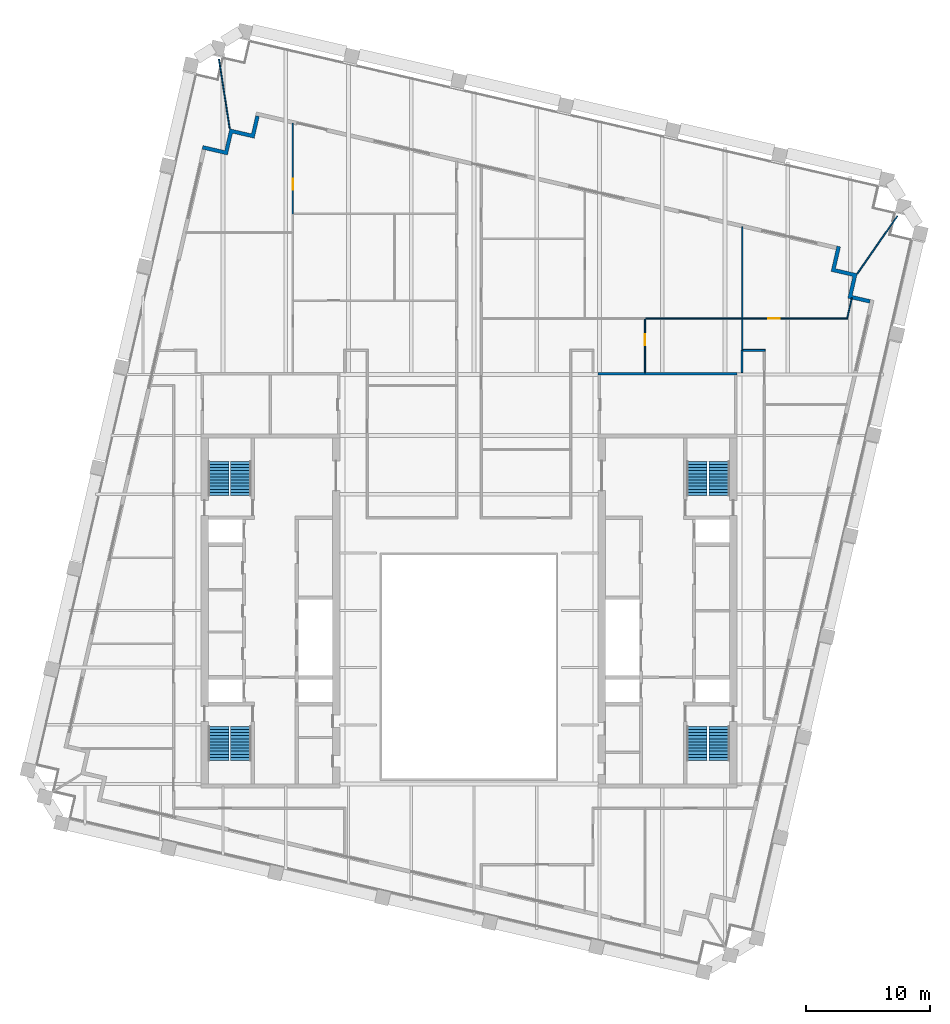
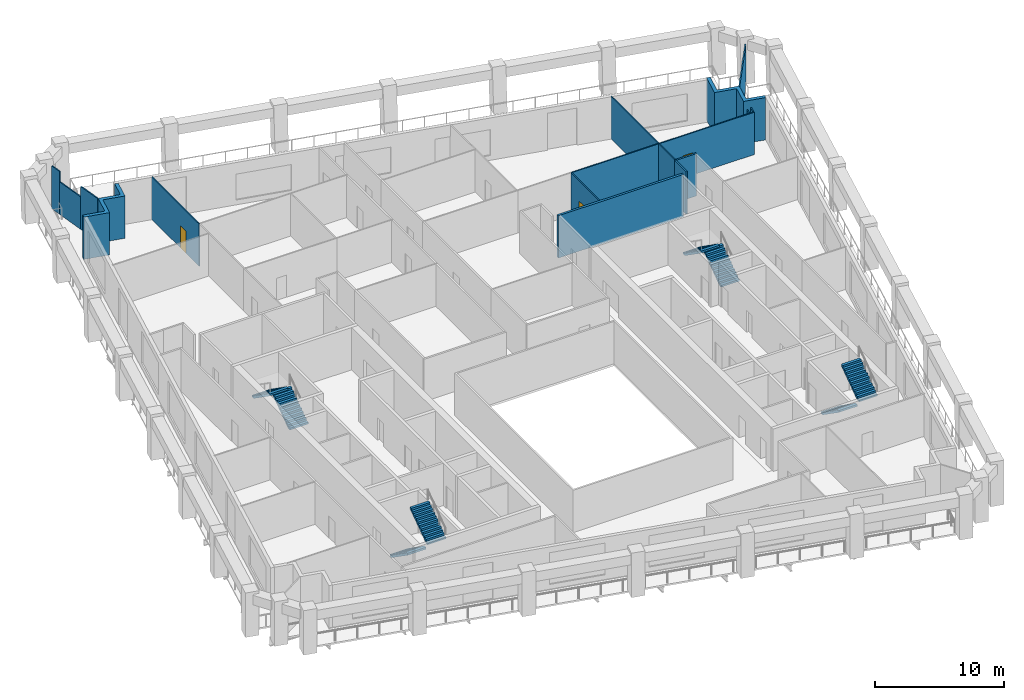
# One storey, part 8 of 9: 17 walls, 8 stair flights, 3 doors, 3 openings, 4 elements without a shape of their own.
"""IFC4 building model written with IfcOpenShell, lengths in metres."""

from ifc_helpers import new_model, si_unit, direction, frame, frame_2d, origin, place, context, subcontext, project, spatial, polyline, rectangle, outline, extrude, material, layer, layer_set, type_object, element, fill, aggregate, save


model = new_model("IFC4")

# Units and contexts
model_context = context("Model", 3, precision=1e-05, world=origin(), true_north=direction((0.0, 1.0)))
body_context = subcontext(model_context, "Body", "Model", "MODEL_VIEW")
ifc_project = project(units=[si_unit("LENGTHUNIT", "METRE"), si_unit("AREAUNIT", "SQUARE_METRE"), si_unit("VOLUMEUNIT", "CUBIC_METRE"), si_unit("PLANEANGLEUNIT", "RADIAN"), si_unit("MASSUNIT", "GRAM", prefix="KILO")], contexts=[model_context])

# Site, building, storey
site_placement = place(None, origin())
site = spatial("IfcSite", under=ifc_project, at=site_placement, CompositionType="ELEMENT")
building_placement = place(site_placement, origin())
building = spatial("IfcBuilding", under=site, at=building_placement, Name="Ogive Exchange Tower", CompositionType="ELEMENT")
storey_placement = place(building_placement, frame((0.0, 0.0, 276.60009765625)))
storey = spatial("IfcBuildingStorey", under=building, at=storey_placement, Name="L60", CompositionType="ELEMENT", Elevation=276.60009765625)

# Walls
ifc_material_1 = material(Name="Fire partition EI 60 150")
ifc_layer_1 = layer(ifc_material_1, 0.14990234375)
ifc_layer_set_1 = layer_set([ifc_layer_1], Name="Fire partition EI 60 150")
wall_type_1 = type_object("IfcWallType", Name="Fire partition EI 60 150", PredefinedType="PARTITIONING", material=ifc_layer_set_1)
wall_1_placement = place(storey_placement, frame((22.0, 30.699951171875, 0.0), z_axis=(0.0, 0.0, 1.0), x_axis=(0.0, 1.0, 0.0)))
element("IfcWall", 1, at=wall_1_placement, inside=storey, type_object=wall_type_1, Name="L60-PWL-058", PredefinedType="PARTITIONING", context=body_context, shape_type="SweptSolid", body=[
    extrude(rectangle(XDim=1.800048828125, YDim=0.14990234375, at=frame_2d((0.89990234375, 0.0))), origin(), (0.0, 0.0, 1.0), 4.0),
])
wall_2_placement = place(storey_placement, frame((21.97998046875, 32.5, 0.0), z_axis=(0.0, 0.0, 1.0), x_axis=(1.0, 0.0, 0.0)))
element("IfcWall", 2, at=wall_2_placement, inside=storey, type_object=wall_type_1, Name="L60-PWL-059", PredefinedType="PARTITIONING", context=body_context, shape_type="SweptSolid", body=[
    extrude(rectangle(XDim=1.89501953125, YDim=0.14990234375, at=frame_2d((0.947509765625, 0.0))), origin(), (0.0, 0.0, 1.0), 4.0),
])
ifc_material_2 = material(Name="Precast concrete C40/50", Category="concrete")
ifc_layer_2 = layer(ifc_material_2, 0.300048828125)
ifc_layer_set_2 = layer_set([ifc_layer_2], Name="Limestone-faced wall 300")
wall_type_2 = type_object("IfcWallType", Name="Limestone-faced wall 300", PredefinedType="STANDARD", material=ifc_layer_set_2)
wall_3_placement = place(storey_placement, origin())
element("IfcWall", 3, at=wall_3_placement, inside=storey, type_object=wall_type_2, Name="External corner wall C2", PredefinedType="STANDARD", context=body_context, shape_type="SweptSolid", body=[
    extrude(outline(polyline([(30.931396484375, 38.453369140625), (29.177490234375, 38.8583984375), (29.64990234375, 40.904541015625), (29.942138671875, 40.8369140625), (29.537109375, 39.0830078125), (31.291015625, 38.67822265625), (30.88623046875, 36.92431640625), (32.34765625, 36.5869140625), (32.2802734375, 36.294677734375), (30.5263671875, 36.699462890625), (30.931396484375, 38.453369140625)])), origin(), (0.0, 0.0, 1.0), 4.0),
])
wall_4_placement = place(storey_placement, origin())
element("IfcWall", 4, at=wall_4_placement, inside=storey, type_object=wall_type_2, Name="External corner wall C3", PredefinedType="STANDARD", context=body_context, shape_type="SweptSolid", body=[
    extrude(outline(polyline([(-21.5048828125, 48.7119140625), (-21.4375, 49.004150390625), (-19.68359375, 48.599365234375), (-19.27880859375, 50.353271484375), (-17.52490234375, 49.9482421875), (-17.1875, 51.409912109375), (-16.89501953125, 51.34228515625), (-17.300048828125, 49.58837890625), (-19.053955078125, 49.993408203125), (-19.458740234375, 48.239501953125), (-21.5048828125, 48.7119140625)])), origin(), (0.0, 0.0, 1.0), 4.0),
])
ifc_material_3 = material(Name="Laminated safety glass in steel frame", Category="steel")
ifc_layer_3 = layer(ifc_material_3, 0.10009765625)
ifc_layer_set_3 = layer_set([ifc_layer_3], Name="Loggia end screen 100")
wall_type_3 = type_object("IfcWallType", Name="Loggia end screen 100", PredefinedType="STANDARD", material=ifc_layer_set_3)
wall_5_placement = place(storey_placement, frame((31.291015625, 38.67822265625, -0.050048828125), z_axis=(0.0, 0.0, 1.0), x_axis=(0.570748735076, 0.821124766043, 0.0)))
element("IfcWall", 5, at=wall_5_placement, inside=storey, type_object=wall_type_3, Name="Loggia end screen C2", PredefinedType="STANDARD", context=body_context, shape_type="SweptSolid", body=[
    extrude(rectangle(XDim=5.664306640625, YDim=0.10009765625, at=frame_2d((2.83203125, 0.0))), origin(), (0.0, 0.0, 1.0), 4.050048828125),
])
wall_6_placement = place(storey_placement, frame((-19.27880859375, 50.353271484375, -0.050048828125), z_axis=(0.0, 0.0, 1.0), x_axis=(-0.152949377395, 0.988234024892, 0.0)))
element("IfcWall", 6, at=wall_6_placement, inside=storey, type_object=wall_type_3, Name="Loggia end screen C3", PredefinedType="STANDARD", context=body_context, shape_type="SweptSolid", body=[
    extrude(rectangle(XDim=2.07666015625, YDim=0.10009765625, at=frame_2d((1.038330078125, 0.0))), origin(), (0.0, 0.0, 1.0), 4.050048828125),
])
wall_7_placement = place(storey_placement, frame((-19.596435546875, 52.405517578125, -0.050048828125), z_axis=(0.0, 0.0, 1.0), x_axis=(-0.153042446465, 0.988219616067, 0.0)))
element("IfcWall", 7, at=wall_7_placement, inside=storey, type_object=wall_type_3, Name="Loggia end screen C3", PredefinedType="STANDARD", context=body_context, shape_type="SweptSolid", body=[
    extrude(rectangle(XDim=2.606689453125, YDim=0.10009765625, at=frame_2d((1.30322265625, 0.0))), origin(), (0.0, 0.0, 1.0), 3.070068359375),
])
wall_8_placement = place(storey_placement, frame((-19.995361328125, 54.9814453125, -0.050048828125), z_axis=(0.0, 0.0, 1.0), x_axis=(-0.153085875802, 0.988212889326, 0.0)))
element("IfcWall", 8, at=wall_8_placement, inside=storey, type_object=wall_type_3, Name="Loggia end screen C3", PredefinedType="STANDARD", context=body_context, shape_type="SweptSolid", body=[
    extrude(rectangle(XDim=0.980712890625, YDim=0.10009765625, at=frame_2d((0.490234375, 0.0))), origin(), (0.0, 0.0, 1.0), 4.050048828125),
])

# Wall, opening, door
ifc_material_4 = material(Name="Partition 100 gypsum")
ifc_layer_4 = layer(ifc_material_4, 0.10009765625)
ifc_layer_set_4 = layer_set([ifc_layer_4], Name="Partition 100 gypsum")
wall_type_4 = type_object("IfcWallType", Name="Partition 100 gypsum", PredefinedType="PARTITIONING", material=ifc_layer_set_4)
wall_9_placement = place(storey_placement, frame((-14.18994140625, 43.449951171875, 0.0), z_axis=(0.0, 0.0, 1.0), x_axis=(0.0, 1.0, 0.0)))
wall_9 = element("IfcWall", 9, at=wall_9_placement, inside=storey, type_object=wall_type_4, Name="L60-PWL-018", PredefinedType="PARTITIONING", context=body_context, shape_type="SweptSolid", body=[
    extrude(rectangle(XDim=7.35009765625, YDim=0.10009765625, at=frame_2d((3.675048828125, 0.0))), origin(), (0.0, 0.0, 1.0), 4.0),
])
opening_1_placement = place(wall_9_placement, frame((1.97998046875, 0.0, 0.0)))
opening_1 = element("IfcOpeningElement", 10, at=opening_1_placement, cuts=wall_9, Name="Opening L60-I20", PredefinedType="OPENING", context=body_context, shape_type="SweptSolid", body=[
    extrude(rectangle(XDim=0.89990234375, YDim=2.10009765625, at=frame_2d((0.449951171875, 1.050048828125))), frame((0.0, 0.06005859375, 0.0), z_axis=(0.0, -1.0, 0.0), x_axis=(1.0, 0.0, 0.0)), (0.0, 0.0, 1.0), 0.1201171875),
])
ifc_material_5 = material(Name="Door 900 x 2100")
door_type = type_object("IfcDoorType", Name="Door 900 x 2100", OperationType="NOTDEFINED", PredefinedType="DOOR", material=ifc_material_5)
door_1_placement = place(opening_1_placement, origin())
door_1 = element("IfcDoor", 11, at=door_1_placement, inside=storey, type_object=door_type, Name="L60-IDR-020", ObjectType="DT1", OperationType="SINGLE_SWING_RIGHT", OverallHeight=2.10009765625, OverallWidth=0.89990234375, PredefinedType="DOOR", context=body_context, shape_type="SweptSolid", body=[
    extrude(rectangle(XDim=0.89990234375, YDim=2.10009765625, at=frame_2d((0.449951171875, 1.050048828125))), frame((0.0, 0.02490234375, 0.0), z_axis=(0.0, -1.0, 0.0), x_axis=(1.0, 0.0, 0.0)), (0.0, 0.0, 1.0), 0.050048828125),
])
fill(opening_1, door_1)

wall_10_placement = place(storey_placement, frame((14.18994140625, 35.02001953125, 0.0), z_axis=(0.0, 0.0, 1.0), x_axis=(0.0, -1.0, 0.0)))
wall_10 = element("IfcWall", 12, at=wall_10_placement, inside=storey, type_object=wall_type_4, Name="L60-PWL-057", PredefinedType="PARTITIONING", context=body_context, shape_type="SweptSolid", body=[
    extrude(rectangle(XDim=4.320068359375, YDim=0.10009765625, at=frame_2d((2.16015625, 0.0))), origin(), (0.0, 0.0, 1.0), 4.0),
])
opening_2_placement = place(wall_10_placement, frame((1.219970703125, 0.0, 0.0)))
opening_2 = element("IfcOpeningElement", 13, at=opening_2_placement, cuts=wall_10, Name="Opening L60-I06", PredefinedType="OPENING", context=body_context, shape_type="SweptSolid", body=[
    extrude(rectangle(XDim=0.89990234375, YDim=2.10009765625, at=frame_2d((0.449951171875, 1.050048828125))), frame((0.0, 0.06005859375, 0.0), z_axis=(0.0, -1.0, 0.0), x_axis=(1.0, 0.0, 0.0)), (0.0, 0.0, 1.0), 0.1201171875),
])
door_2_placement = place(opening_2_placement, origin())
door_2 = element("IfcDoor", 14, at=door_2_placement, inside=storey, type_object=door_type, Name="L60-IDR-006", ObjectType="DT1", OperationType="SINGLE_SWING_RIGHT", OverallHeight=2.10009765625, OverallWidth=0.89990234375, PredefinedType="DOOR", context=body_context, shape_type="SweptSolid", body=[
    extrude(rectangle(XDim=0.89990234375, YDim=2.10009765625, at=frame_2d((0.449951171875, 1.050048828125))), frame((0.0, 0.02490234375, 0.0), z_axis=(0.0, -1.0, 0.0), x_axis=(1.0, 0.0, 0.0)), (0.0, 0.0, 1.0), 0.050048828125),
])
fill(opening_2, door_2)

# Walls
wall_11_placement = place(storey_placement, frame((21.97998046875, 35.070068359375, 0.0), z_axis=(0.0, 0.0, 1.0), x_axis=(-1.0, 0.0, 0.0)))
element("IfcWall", 15, at=wall_11_placement, inside=storey, type_object=wall_type_4, Name="L60-PWL-060", PredefinedType="PARTITIONING", context=body_context, shape_type="SweptSolid", body=[
    extrude(rectangle(XDim=7.7900390625, YDim=0.10009765625, at=frame_2d((3.89501953125, 0.0))), origin(), (0.0, 0.0, 1.0), 4.0),
])
wall_12_placement = place(storey_placement, frame((22.030029296875, 35.02001953125, 0.0), z_axis=(0.0, 0.0, 1.0), x_axis=(0.0, -1.0, 0.0)))
element("IfcWall", 16, at=wall_12_placement, inside=storey, type_object=wall_type_4, Name="L60-PWL-061", PredefinedType="PARTITIONING", context=body_context, shape_type="SweptSolid", body=[
    extrude(rectangle(XDim=2.445068359375, YDim=0.10009765625, at=frame_2d((1.22265625, 0.0))), origin(), (0.0, 0.0, 1.0), 4.0),
])

# Wall, opening, door
wall_13_placement = place(storey_placement, frame((21.97998046875, 35.070068359375, 0.0), z_axis=(0.0, 0.0, 1.0), x_axis=(1.0, 0.0, 0.0)))
wall_13 = element("IfcWall", 17, at=wall_13_placement, inside=storey, type_object=wall_type_4, Name="L60-PWL-062", PredefinedType="PARTITIONING", context=body_context, shape_type="SweptSolid", body=[
    extrude(rectangle(XDim=8.550048828125, YDim=0.10009765625, at=frame_2d((4.27490234375, 0.0))), origin(), (0.0, 0.0, 1.0), 4.0),
])
opening_3_placement = place(wall_13_placement, frame((2.14990234375, 0.0, 0.0)))
opening_3 = element("IfcOpeningElement", 18, at=opening_3_placement, cuts=wall_13, Name="Opening L60-I13", PredefinedType="OPENING", context=body_context, shape_type="SweptSolid", body=[
    extrude(rectangle(XDim=0.89990234375, YDim=2.10009765625, at=frame_2d((0.449951171875, 1.050048828125))), frame((0.0, 0.06005859375, 0.0), z_axis=(0.0, -1.0, 0.0), x_axis=(1.0, 0.0, 0.0)), (0.0, 0.0, 1.0), 0.1201171875),
])
door_3_placement = place(opening_3_placement, origin())
door_3 = element("IfcDoor", 19, at=door_3_placement, inside=storey, type_object=door_type, Name="L60-IDR-013", ObjectType="DT1", OperationType="SINGLE_SWING_RIGHT", OverallHeight=2.10009765625, OverallWidth=0.89990234375, PredefinedType="DOOR", context=body_context, shape_type="SweptSolid", body=[
    extrude(rectangle(XDim=0.89990234375, YDim=2.10009765625, at=frame_2d((0.449951171875, 1.050048828125))), frame((0.0, 0.02490234375, 0.0), z_axis=(0.0, -1.0, 0.0), x_axis=(1.0, 0.0, 0.0)), (0.0, 0.0, 1.0), 0.050048828125),
])
fill(opening_3, door_3)

# Walls
wall_14_placement = place(storey_placement, frame((22.030029296875, 42.43798828125, 0.0), z_axis=(0.0, 0.0, 1.0), x_axis=(0.0, -1.0, 0.0)))
element("IfcWall", 20, at=wall_14_placement, inside=storey, type_object=wall_type_4, Name="L60-PWL-063", PredefinedType="PARTITIONING", context=body_context, shape_type="SweptSolid", body=[
    extrude(rectangle(XDim=7.31787109375, YDim=0.10009765625, at=frame_2d((3.658935546875, 0.0))), origin(), (0.0, 0.0, 1.0), 4.0),
])
wall_15_placement = place(storey_placement, frame((30.490966796875, 35.118896484375, 0.0), z_axis=(0.0, 0.0, 1.0), x_axis=(0.221364977912, 0.975191030801, 0.0)))
element("IfcWall", 21, at=wall_15_placement, inside=storey, type_object=wall_type_4, Name="L60-PWL-071", PredefinedType="PARTITIONING", context=body_context, shape_type="SweptSolid", body=[
    extrude(rectangle(XDim=0.576904296875, YDim=0.10009765625, at=frame_2d((0.28857421875, 0.0))), origin(), (0.0, 0.0, 1.0), 4.0),
])
wall_16_placement = place(storey_placement, frame((30.61865234375, 35.681396484375, 0.0), z_axis=(0.0, 0.0, 1.0), x_axis=(0.221512751938, 0.975157474836, 0.0)))
element("IfcWall", 22, at=wall_16_placement, inside=storey, type_object=wall_type_4, Name="L60-PWL-071", PredefinedType="PARTITIONING", context=body_context, shape_type="SweptSolid", body=[
    extrude(rectangle(XDim=1.0712890625, YDim=0.10009765625, at=frame_2d((0.53564453125, 0.0))), origin(), (0.0, 0.0, 1.0), 3.163818359375),
])
ifc_material_6 = material(Name="Concrete C70/85", Category="concrete")
ifc_layer_5 = layer(ifc_material_6, 0.199951171875)
ifc_layer_set_5 = layer_set([ifc_layer_5], Name="RC core wall 200 C70/85")
wall_type_5 = type_object("IfcWallType", Name="RC core wall 200 C70/85", PredefinedType="SHEAR", material=ifc_layer_set_5)
wall_17_placement = place(storey_placement, frame((10.39990234375, 30.60009765625, 0.0), z_axis=(0.0, 0.0, 1.0), x_axis=(1.0, 0.0, 0.0)))
element("IfcWall", 23, at=wall_17_placement, inside=storey, type_object=wall_type_5, Name="E annex N end wall", PredefinedType="SHEAR", context=body_context, shape_type="SweptSolid", body=[
    extrude(rectangle(XDim=11.2001953125, YDim=0.199951171875, at=frame_2d((5.60009765625, 0.0))), origin(), (0.0, 0.0, 1.0), 4.0),
])

# Stair, stair flights
ifc_material_7 = material(Name="Concrete C40/50", Category="concrete")
stair_type = type_object("IfcStairType", Name="Exit stair 1650 wide", PredefinedType="HALF_TURN_STAIR", material=ifc_material_7)
stair_1_placement = place(storey_placement, origin())
stair_1 = element("IfcStair", 24, at=stair_1_placement, inside=storey, type_object=stair_type, Name="L60 exit stair ST1", PredefinedType="HALF_TURN_STAIR")
stair_flight_type = type_object("IfcStairFlightType", Name="Stair flight 1650 wide", PredefinedType="STRAIGHT", material=ifc_material_7)
stair_flight_1_placement = place(storey_placement, frame((-20.175048828125, 2.199951171875, 0.0), z_axis=(0.0, 0.0, 1.0), x_axis=(0.0, -1.0, 0.0)))
stair_flight_1 = element("IfcStairFlight", 25, at=stair_flight_1_placement, type_object=stair_flight_type, Name="ST1 flight 1", NumberOfRisers=12, NumberOfTreads=11, PredefinedType="STRAIGHT", RiserHeight=0.175, TreadLength=0.25, context=body_context, shape_type="SweptSolid", body=[
    extrude(outline(polyline([(0.0, 0.0), (0.0, 0.175048828125), (0.25, 0.175048828125), (0.25, 0.35009765625), (0.5, 0.35009765625), (0.5, 0.52490234375), (0.75, 0.52490234375), (0.75, 0.699951171875), (1.0, 0.699951171875), (1.0, 0.875), (1.25, 0.875), (1.25, 1.050048828125), (1.5, 1.050048828125), (1.5, 1.22509765625), (1.75, 1.22509765625), (1.75, 1.39990234375), (2.0, 1.39990234375), (2.0, 1.574951171875), (2.25, 1.574951171875), (2.25, 1.75), (2.5, 1.75), (2.5, 1.925048828125), (2.75, 1.925048828125), (2.75, 2.10009765625), (2.75, 1.741943359375), (0.261474609375, 0.0), (0.0, 0.0)])), frame((0.0, 0.824951171875, 0.0), z_axis=(0.0, -1.0, 0.0), x_axis=(1.0, 0.0, 0.0)), (0.0, 0.0, 1.0), 1.64990234375),
])
stair_flight_2_placement = place(storey_placement, frame((-18.375, -0.550048828125, 2.099853515625), z_axis=(0.0, 0.0, 1.0), x_axis=(0.0, 1.0, 0.0)))
stair_flight_2 = element("IfcStairFlight", 26, at=stair_flight_2_placement, type_object=stair_flight_type, Name="ST1 flight 2", NumberOfRisers=12, NumberOfTreads=11, PredefinedType="STRAIGHT", RiserHeight=0.175, TreadLength=0.25, context=body_context, shape_type="SweptSolid", body=[
    extrude(outline(polyline([(0.0, 0.0), (0.0, 0.175048828125), (0.25, 0.175048828125), (0.25, 0.35009765625), (0.5, 0.35009765625), (0.5, 0.52490234375), (0.75, 0.52490234375), (0.75, 0.699951171875), (1.0, 0.699951171875), (1.0, 0.875), (1.25, 0.875), (1.25, 1.050048828125), (1.5, 1.050048828125), (1.5, 1.22509765625), (1.75, 1.22509765625), (1.75, 1.39990234375), (2.0, 1.39990234375), (2.0, 1.574951171875), (2.25, 1.574951171875), (2.25, 1.75), (2.5, 1.75), (2.5, 1.925048828125), (2.75, 1.925048828125), (2.75, 2.10009765625), (2.75, 1.741943359375), (0.261474609375, 0.0), (0.0, 0.0)])), frame((0.0, 0.824951171875, 0.0), z_axis=(0.0, -1.0, 0.0), x_axis=(1.0, 0.0, 0.0)), (0.0, 0.0, 1.0), 1.64990234375),
])
aggregate(stair_1, [stair_flight_1, stair_flight_2])

stair_2_placement = place(storey_placement, origin())
stair_2 = element("IfcStair", 27, at=stair_2_placement, inside=storey, type_object=stair_type, Name="L60 exit stair ST2", PredefinedType="HALF_TURN_STAIR")
stair_flight_3_placement = place(storey_placement, frame((-18.375, 20.800048828125, 0.0), z_axis=(0.0, 0.0, 1.0), x_axis=(0.0, 1.0, 0.0)))
stair_flight_3 = element("IfcStairFlight", 28, at=stair_flight_3_placement, type_object=stair_flight_type, Name="ST2 flight 1", NumberOfRisers=12, NumberOfTreads=11, PredefinedType="STRAIGHT", RiserHeight=0.175, TreadLength=0.25, context=body_context, shape_type="SweptSolid", body=[
    extrude(outline(polyline([(0.0, 0.0), (0.0, 0.175048828125), (0.25, 0.175048828125), (0.25, 0.35009765625), (0.5, 0.35009765625), (0.5, 0.52490234375), (0.75, 0.52490234375), (0.75, 0.699951171875), (1.0, 0.699951171875), (1.0, 0.875), (1.25, 0.875), (1.25, 1.050048828125), (1.5, 1.050048828125), (1.5, 1.22509765625), (1.75, 1.22509765625), (1.75, 1.39990234375), (2.0, 1.39990234375), (2.0, 1.574951171875), (2.25, 1.574951171875), (2.25, 1.75), (2.5, 1.75), (2.5, 1.925048828125), (2.75, 1.925048828125), (2.75, 2.10009765625), (2.75, 1.741943359375), (0.261474609375, 0.0), (0.0, 0.0)])), frame((0.0, 0.824951171875, 0.0), z_axis=(0.0, -1.0, 0.0), x_axis=(1.0, 0.0, 0.0)), (0.0, 0.0, 1.0), 1.64990234375),
])
stair_flight_4_placement = place(storey_placement, frame((-20.175048828125, 23.550048828125, 2.099853515625), z_axis=(0.0, 0.0, 1.0), x_axis=(0.0, -1.0, 0.0)))
stair_flight_4 = element("IfcStairFlight", 29, at=stair_flight_4_placement, type_object=stair_flight_type, Name="ST2 flight 2", NumberOfRisers=12, NumberOfTreads=11, PredefinedType="STRAIGHT", RiserHeight=0.175, TreadLength=0.25, context=body_context, shape_type="SweptSolid", body=[
    extrude(outline(polyline([(0.0, 0.0), (0.0, 0.175048828125), (0.25, 0.175048828125), (0.25, 0.35009765625), (0.5, 0.35009765625), (0.5, 0.52490234375), (0.75, 0.52490234375), (0.75, 0.699951171875), (1.0, 0.699951171875), (1.0, 0.875), (1.25, 0.875), (1.25, 1.050048828125), (1.5, 1.050048828125), (1.5, 1.22509765625), (1.75, 1.22509765625), (1.75, 1.39990234375), (2.0, 1.39990234375), (2.0, 1.574951171875), (2.25, 1.574951171875), (2.25, 1.75), (2.5, 1.75), (2.5, 1.925048828125), (2.75, 1.925048828125), (2.75, 2.10009765625), (2.75, 1.741943359375), (0.261474609375, 0.0), (0.0, 0.0)])), frame((0.0, 0.824951171875, 0.0), z_axis=(0.0, -1.0, 0.0), x_axis=(1.0, 0.0, 0.0)), (0.0, 0.0, 1.0), 1.64990234375),
])
aggregate(stair_2, [stair_flight_3, stair_flight_4])

stair_3_placement = place(storey_placement, origin())
stair_3 = element("IfcStair", 30, at=stair_3_placement, inside=storey, type_object=stair_type, Name="L60 exit stair ST3", PredefinedType="HALF_TURN_STAIR")
stair_flight_5_placement = place(storey_placement, frame((18.375, 2.199951171875, 0.0), z_axis=(0.0, 0.0, 1.0), x_axis=(0.0, -1.0, 0.0)))
stair_flight_5 = element("IfcStairFlight", 31, at=stair_flight_5_placement, type_object=stair_flight_type, Name="ST3 flight 1", NumberOfRisers=12, NumberOfTreads=11, PredefinedType="STRAIGHT", RiserHeight=0.175, TreadLength=0.25, context=body_context, shape_type="SweptSolid", body=[
    extrude(outline(polyline([(0.0, 0.0), (0.0, 0.175048828125), (0.25, 0.175048828125), (0.25, 0.35009765625), (0.5, 0.35009765625), (0.5, 0.52490234375), (0.75, 0.52490234375), (0.75, 0.699951171875), (1.0, 0.699951171875), (1.0, 0.875), (1.25, 0.875), (1.25, 1.050048828125), (1.5, 1.050048828125), (1.5, 1.22509765625), (1.75, 1.22509765625), (1.75, 1.39990234375), (2.0, 1.39990234375), (2.0, 1.574951171875), (2.25, 1.574951171875), (2.25, 1.75), (2.5, 1.75), (2.5, 1.925048828125), (2.75, 1.925048828125), (2.75, 2.10009765625), (2.75, 1.741943359375), (0.261474609375, 0.0), (0.0, 0.0)])), frame((0.0, 0.824951171875, 0.0), z_axis=(0.0, -1.0, 0.0), x_axis=(1.0, 0.0, 0.0)), (0.0, 0.0, 1.0), 1.64990234375),
])
stair_flight_6_placement = place(storey_placement, frame((20.175048828125, -0.550048828125, 2.099853515625), z_axis=(0.0, 0.0, 1.0), x_axis=(0.0, 1.0, 0.0)))
stair_flight_6 = element("IfcStairFlight", 32, at=stair_flight_6_placement, type_object=stair_flight_type, Name="ST3 flight 2", NumberOfRisers=12, NumberOfTreads=11, PredefinedType="STRAIGHT", RiserHeight=0.175, TreadLength=0.25, context=body_context, shape_type="SweptSolid", body=[
    extrude(outline(polyline([(0.0, 0.0), (0.0, 0.175048828125), (0.25, 0.175048828125), (0.25, 0.35009765625), (0.5, 0.35009765625), (0.5, 0.52490234375), (0.75, 0.52490234375), (0.75, 0.699951171875), (1.0, 0.699951171875), (1.0, 0.875), (1.25, 0.875), (1.25, 1.050048828125), (1.5, 1.050048828125), (1.5, 1.22509765625), (1.75, 1.22509765625), (1.75, 1.39990234375), (2.0, 1.39990234375), (2.0, 1.574951171875), (2.25, 1.574951171875), (2.25, 1.75), (2.5, 1.75), (2.5, 1.925048828125), (2.75, 1.925048828125), (2.75, 2.10009765625), (2.75, 1.741943359375), (0.261474609375, 0.0), (0.0, 0.0)])), frame((0.0, 0.824951171875, 0.0), z_axis=(0.0, -1.0, 0.0), x_axis=(1.0, 0.0, 0.0)), (0.0, 0.0, 1.0), 1.64990234375),
])
aggregate(stair_3, [stair_flight_5, stair_flight_6])

stair_4_placement = place(storey_placement, origin())
stair_4 = element("IfcStair", 33, at=stair_4_placement, inside=storey, type_object=stair_type, Name="L60 exit stair ST4", PredefinedType="HALF_TURN_STAIR")
stair_flight_7_placement = place(storey_placement, frame((20.175048828125, 20.800048828125, 0.0), z_axis=(0.0, 0.0, 1.0), x_axis=(0.0, 1.0, 0.0)))
stair_flight_7 = element("IfcStairFlight", 34, at=stair_flight_7_placement, type_object=stair_flight_type, Name="ST4 flight 1", NumberOfRisers=12, NumberOfTreads=11, PredefinedType="STRAIGHT", RiserHeight=0.175, TreadLength=0.25, context=body_context, shape_type="SweptSolid", body=[
    extrude(outline(polyline([(0.0, 0.0), (0.0, 0.175048828125), (0.25, 0.175048828125), (0.25, 0.35009765625), (0.5, 0.35009765625), (0.5, 0.52490234375), (0.75, 0.52490234375), (0.75, 0.699951171875), (1.0, 0.699951171875), (1.0, 0.875), (1.25, 0.875), (1.25, 1.050048828125), (1.5, 1.050048828125), (1.5, 1.22509765625), (1.75, 1.22509765625), (1.75, 1.39990234375), (2.0, 1.39990234375), (2.0, 1.574951171875), (2.25, 1.574951171875), (2.25, 1.75), (2.5, 1.75), (2.5, 1.925048828125), (2.75, 1.925048828125), (2.75, 2.10009765625), (2.75, 1.741943359375), (0.261474609375, 0.0), (0.0, 0.0)])), frame((0.0, 0.824951171875, 0.0), z_axis=(0.0, -1.0, 0.0), x_axis=(1.0, 0.0, 0.0)), (0.0, 0.0, 1.0), 1.64990234375),
])
stair_flight_8_placement = place(storey_placement, frame((18.375, 23.550048828125, 2.099853515625), z_axis=(0.0, 0.0, 1.0), x_axis=(0.0, -1.0, 0.0)))
stair_flight_8 = element("IfcStairFlight", 35, at=stair_flight_8_placement, type_object=stair_flight_type, Name="ST4 flight 2", NumberOfRisers=12, NumberOfTreads=11, PredefinedType="STRAIGHT", RiserHeight=0.175, TreadLength=0.25, context=body_context, shape_type="SweptSolid", body=[
    extrude(outline(polyline([(0.0, 0.0), (0.0, 0.175048828125), (0.25, 0.175048828125), (0.25, 0.35009765625), (0.5, 0.35009765625), (0.5, 0.52490234375), (0.75, 0.52490234375), (0.75, 0.699951171875), (1.0, 0.699951171875), (1.0, 0.875), (1.25, 0.875), (1.25, 1.050048828125), (1.5, 1.050048828125), (1.5, 1.22509765625), (1.75, 1.22509765625), (1.75, 1.39990234375), (2.0, 1.39990234375), (2.0, 1.574951171875), (2.25, 1.574951171875), (2.25, 1.75), (2.5, 1.75), (2.5, 1.925048828125), (2.75, 1.925048828125), (2.75, 2.10009765625), (2.75, 1.741943359375), (0.261474609375, 0.0), (0.0, 0.0)])), frame((0.0, 0.824951171875, 0.0), z_axis=(0.0, -1.0, 0.0), x_axis=(1.0, 0.0, 0.0)), (0.0, 0.0, 1.0), 1.64990234375),
])
aggregate(stair_4, [stair_flight_7, stair_flight_8])

save(model, "model.ifc")
